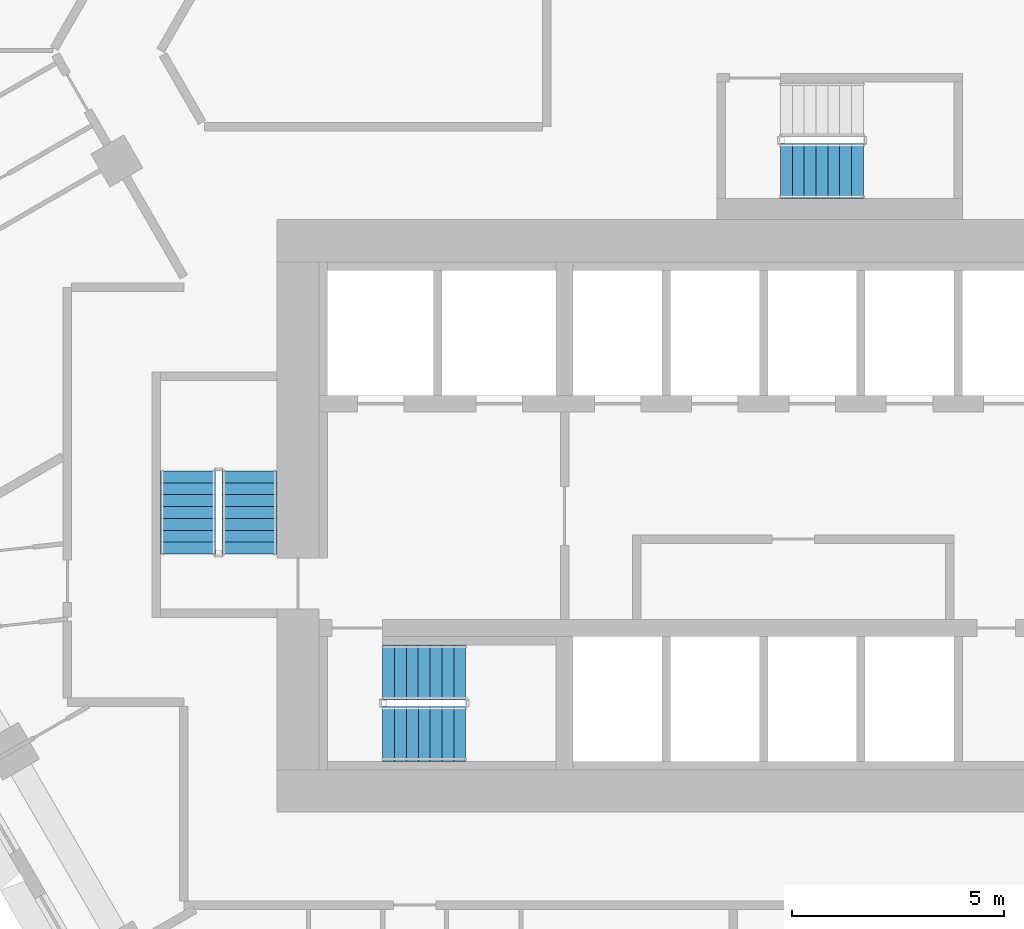
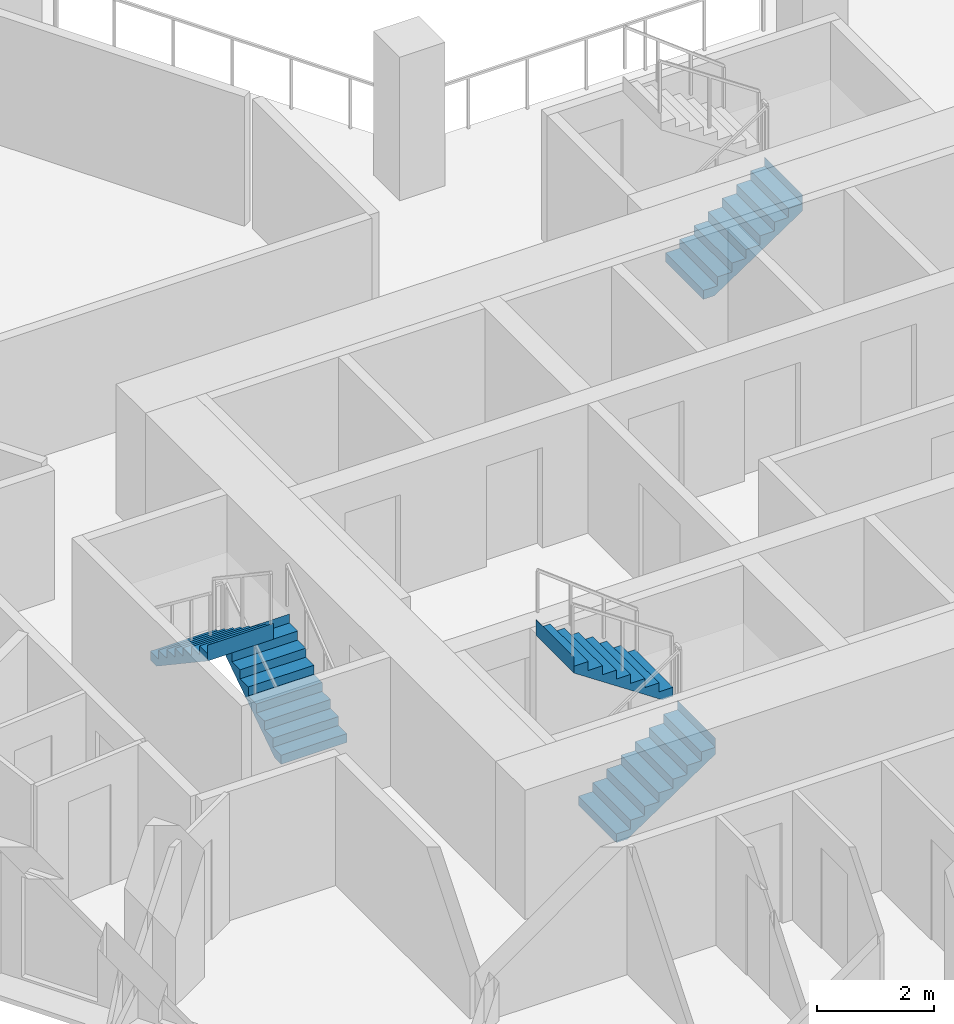
# One storey, part 13 of 18: 5 stair flights, 3 elements without a shape of their own.
"""IFC4 building model written with IfcOpenShell, lengths in metres."""

from ifc_helpers import new_model, si_unit, direction, frame, origin, place, context, subcontext, project, spatial, triangles, material, type_object, element, aggregate, save


model = new_model("IFC4")

# Units and contexts
model_context = context("Model", 3, precision=1e-05, world=origin(), true_north=direction((0.0, 1.0)))
body_context = subcontext(model_context, "Body", "Model", "MODEL_VIEW")
ifc_project = project(units=[si_unit("LENGTHUNIT", "METRE"), si_unit("AREAUNIT", "SQUARE_METRE"), si_unit("VOLUMEUNIT", "CUBIC_METRE"), si_unit("PLANEANGLEUNIT", "RADIAN"), si_unit("MASSUNIT", "GRAM", prefix="KILO")], contexts=[model_context])

# Site, building, storey
site_placement = place(None, origin())
site = spatial("IfcSite", under=ifc_project, at=site_placement, CompositionType="ELEMENT")
building_placement = place(site_placement, origin())
building = spatial("IfcBuilding", under=site, at=building_placement, Name="Beryl Residences", CompositionType="ELEMENT")
storey_placement = place(building_placement, frame((0.0, 0.0, 81.0)))
storey = spatial("IfcBuildingStorey", under=building, at=storey_placement, Name="L24", CompositionType="ELEMENT", Elevation=81.0)

# Stair, stair flights
ifc_material_1 = material(Name="Concrete C40/50", Category="concrete")
stair_type = type_object("IfcStairType", Name="ST1 protected exit stair, half-turn, 1300 mm flights", PredefinedType="HALF_TURN_STAIR", material=ifc_material_1)
stair_1_placement = place(storey_placement, origin())
stair_1 = element("IfcStair", 1, at=stair_1_placement, inside=storey, type_object=stair_type, Name="L24 PROTECTED EXIT STAIR ST-1", PredefinedType="HALF_TURN_STAIR")
ifc_material_2 = material(Name="Concrete C40/50", Category="concrete")
stair_flight_type = type_object("IfcStairFlightType", Name="SF1 stair flight 1300 mm", PredefinedType="STRAIGHT", material=ifc_material_2)
stair_flight_1_placement = place(storey_placement, frame((-10.800048828125, -17.14990234375, 0.0), z_axis=(0.0, 0.0, 1.0), x_axis=(1.0, 0.0, 0.0)))
stair_flight_1 = element("IfcStairFlight", 2, at=stair_flight_1_placement, type_object=stair_flight_type, Name="ST-1 flight 1", NumberOfRisers=8, NumberOfTreads=7, PredefinedType="STRAIGHT", RiserHeight=0.1875, TreadLength=0.28, context=body_context, shape_type="Tessellation", body=[
    triangles([(0.0, -0.64990234375, 0.0), (0.0, -0.324951171875, 0.0), (0.0, 0.0, 0.0), (0.0, 0.324951171875, 0.0), (0.0, 0.64990234375, 0.0), (0.0, -0.64990234375, 0.1875), (0.0, -0.324951171875, 0.1875), (0.0, 0.0, 0.1875), (0.0, 0.324951171875, 0.1875), (0.0, 0.64990234375, 0.1875), (0.280029296875, -0.64990234375, 0.1875), (0.280029296875, -0.324951171875, 0.1875), (0.280029296875, 0.0, 0.1875), (0.280029296875, 0.324951171875, 0.1875), (0.280029296875, 0.64990234375, 0.1875), (0.280029296875, -0.64990234375, 0.375), (0.280029296875, -0.324951171875, 0.375), (0.280029296875, 0.0, 0.375), (0.280029296875, 0.324951171875, 0.375), (0.280029296875, 0.64990234375, 0.375), (0.56005859375, -0.64990234375, 0.375), (0.56005859375, -0.324951171875, 0.375), (0.56005859375, 0.0, 0.375), (0.56005859375, 0.324951171875, 0.375), (0.56005859375, 0.64990234375, 0.375), (0.56005859375, -0.64990234375, 0.5625), (0.56005859375, -0.324951171875, 0.5625), (0.56005859375, 0.0, 0.5625), (0.56005859375, 0.324951171875, 0.5625), (0.56005859375, 0.64990234375, 0.5625), (0.840087890625, -0.64990234375, 0.5625), (0.840087890625, -0.324951171875, 0.5625), (0.840087890625, 0.0, 0.5625), (0.840087890625, 0.324951171875, 0.5625), (0.840087890625, 0.64990234375, 0.5625), (0.840087890625, -0.64990234375, 0.75), (0.840087890625, -0.324951171875, 0.75), (0.840087890625, 0.0, 0.75), (0.840087890625, 0.324951171875, 0.75), (0.840087890625, 0.64990234375, 0.75), (1.1201171875, -0.64990234375, 0.75), (1.1201171875, -0.324951171875, 0.75), (1.1201171875, 0.0, 0.75), (1.1201171875, 0.324951171875, 0.75), (1.1201171875, 0.64990234375, 0.75), (1.1201171875, -0.64990234375, 0.9375), (1.1201171875, -0.324951171875, 0.9375), (1.1201171875, 0.0, 0.9375), (1.1201171875, 0.324951171875, 0.9375), (1.1201171875, 0.64990234375, 0.9375), (1.39990234375, -0.64990234375, 0.9375), (1.39990234375, -0.324951171875, 0.9375), (1.39990234375, 0.0, 0.9375), (1.39990234375, 0.324951171875, 0.9375), (1.39990234375, 0.64990234375, 0.9375), (1.39990234375, -0.64990234375, 1.125), (1.39990234375, -0.324951171875, 1.125), (1.39990234375, 0.0, 1.125), (1.39990234375, 0.324951171875, 1.125), (1.39990234375, 0.64990234375, 1.125), (1.679931640625, -0.64990234375, 1.125), (1.679931640625, -0.324951171875, 1.125), (1.679931640625, 0.0, 1.125), (1.679931640625, 0.324951171875, 1.125), (1.679931640625, 0.64990234375, 1.125), (1.679931640625, -0.64990234375, 1.3125), (1.679931640625, -0.324951171875, 1.3125), (1.679931640625, 0.0, 1.3125), (1.679931640625, 0.324951171875, 1.3125), (1.679931640625, 0.64990234375, 1.3125), (1.9599609375, -0.64990234375, 1.3125), (1.9599609375, -0.324951171875, 1.3125), (1.9599609375, 0.0, 1.3125), (1.9599609375, 0.324951171875, 1.3125), (1.9599609375, 0.64990234375, 1.3125), (1.9599609375, -0.64990234375, 1.5), (1.9599609375, -0.324951171875, 1.5), (1.9599609375, 0.0, 1.5), (1.9599609375, 0.324951171875, 1.5), (1.9599609375, 0.64990234375, 1.5), (1.9609375, -0.64990234375, 1.5), (1.9609375, -0.324951171875, 1.5), (1.9609375, 0.0, 1.5), (1.9609375, 0.324951171875, 1.5), (1.9609375, 0.64990234375, 1.5), (1.9609375, -0.64990234375, 1.16796875), (1.9609375, -0.324951171875, 1.16796875), (1.9609375, 0.0, 1.16796875), (1.9609375, 0.324951171875, 1.16796875), (1.9609375, 0.64990234375, 1.16796875), (0.216796875, -0.64990234375, 0.0), (0.216796875, -0.324951171875, 0.0), (0.216796875, 0.0, 0.0), (0.216796875, 0.324951171875, 0.0), (0.216796875, 0.64990234375, 0.0)], [[1, 6, 7], [1, 7, 2], [2, 7, 8], [2, 8, 3], [3, 8, 9], [3, 9, 4], [4, 9, 10], [4, 10, 5], [6, 11, 12], [6, 12, 7], [7, 12, 13], [7, 13, 8], [8, 13, 14], [8, 14, 9], [9, 14, 15], [9, 15, 10], [11, 16, 17], [11, 17, 12], [12, 17, 18], [12, 18, 13], [13, 18, 19], [13, 19, 14], [14, 19, 20], [14, 20, 15], [16, 21, 22], [16, 22, 17], [17, 22, 23], [17, 23, 18], [18, 23, 24], [18, 24, 19], [19, 24, 25], [19, 25, 20], [21, 26, 27], [21, 27, 22], [22, 27, 28], [22, 28, 23], [23, 28, 29], [23, 29, 24], [24, 29, 30], [24, 30, 25], [26, 31, 32], [26, 32, 27], [27, 32, 33], [27, 33, 28], [28, 33, 34], [28, 34, 29], [29, 34, 35], [29, 35, 30], [31, 36, 37], [31, 37, 32], [32, 37, 38], [32, 38, 33], [33, 38, 39], [33, 39, 34], [34, 39, 40], [34, 40, 35], [36, 41, 42], [36, 42, 37], [37, 42, 43], [37, 43, 38], [38, 43, 44], [38, 44, 39], [39, 44, 45], [39, 45, 40], [41, 46, 47], [41, 47, 42], [42, 47, 48], [42, 48, 43], [43, 48, 49], [43, 49, 44], [44, 49, 50], [44, 50, 45], [46, 51, 52], [46, 52, 47], [47, 52, 53], [47, 53, 48], [48, 53, 54], [48, 54, 49], [49, 54, 55], [49, 55, 50], [51, 56, 57], [51, 57, 52], [52, 57, 58], [52, 58, 53], [53, 58, 59], [53, 59, 54], [54, 59, 60], [54, 60, 55], [56, 61, 62], [56, 62, 57], [57, 62, 63], [57, 63, 58], [58, 63, 64], [58, 64, 59], [59, 64, 65], [59, 65, 60], [61, 66, 67], [61, 67, 62], [62, 67, 68], [62, 68, 63], [63, 68, 69], [63, 69, 64], [64, 69, 70], [64, 70, 65], [66, 71, 72], [66, 72, 67], [67, 72, 73], [67, 73, 68], [68, 73, 74], [68, 74, 69], [69, 74, 75], [69, 75, 70], [71, 76, 77], [71, 77, 72], [72, 77, 78], [72, 78, 73], [73, 78, 79], [73, 79, 74], [74, 79, 80], [74, 80, 75], [76, 81, 82], [76, 82, 77], [77, 82, 83], [77, 83, 78], [78, 83, 84], [78, 84, 79], [79, 84, 85], [79, 85, 80], [81, 86, 87], [81, 87, 82], [82, 87, 88], [82, 88, 83], [83, 88, 89], [83, 89, 84], [84, 89, 90], [84, 90, 85], [86, 91, 92], [86, 92, 87], [87, 92, 93], [87, 93, 88], [88, 93, 94], [88, 94, 89], [89, 94, 95], [89, 95, 90], [91, 1, 2], [91, 2, 92], [92, 2, 3], [92, 3, 93], [93, 3, 4], [93, 4, 94], [94, 4, 5], [94, 5, 95], [1, 91, 86], [5, 90, 95], [86, 81, 76], [90, 80, 85], [86, 76, 71], [90, 75, 80], [86, 71, 66], [90, 70, 75], [86, 66, 61], [90, 65, 70], [61, 56, 51], [65, 55, 60], [86, 61, 51], [90, 55, 65], [51, 46, 41], [55, 45, 50], [86, 51, 41], [90, 45, 55], [41, 36, 31], [45, 35, 40], [86, 41, 31], [90, 35, 45], [31, 26, 21], [35, 25, 30], [86, 31, 21], [90, 25, 35], [21, 16, 11], [25, 15, 20], [86, 21, 11], [90, 15, 25], [1, 86, 11], [5, 15, 90], [11, 6, 1], [15, 5, 10]], closed=True),
])
stair_flight_2_placement = place(storey_placement, frame((-8.840087890625, -15.699951171875, 1.5), z_axis=(0.0, 0.0, 1.0), x_axis=(-1.0, 0.0, 0.0)))
stair_flight_2 = element("IfcStairFlight", 3, at=stair_flight_2_placement, type_object=stair_flight_type, Name="ST-1 flight 2", NumberOfRisers=8, NumberOfTreads=7, PredefinedType="STRAIGHT", RiserHeight=0.1875, TreadLength=0.28, context=body_context, shape_type="Tessellation", body=[
    triangles([(0.0, -0.64990234375, 0.0), (0.0, -0.324951171875, 0.0), (0.0, 0.0, 0.0), (0.0, 0.324951171875, 0.0), (0.0, 0.64990234375, 0.0), (0.0, -0.64990234375, 0.1875), (0.0, -0.324951171875, 0.1875), (0.0, 0.0, 0.1875), (0.0, 0.324951171875, 0.1875), (0.0, 0.64990234375, 0.1875), (0.280029296875, -0.64990234375, 0.1875), (0.280029296875, -0.324951171875, 0.1875), (0.280029296875, 0.0, 0.1875), (0.280029296875, 0.324951171875, 0.1875), (0.280029296875, 0.64990234375, 0.1875), (0.280029296875, -0.64990234375, 0.375), (0.280029296875, -0.324951171875, 0.375), (0.280029296875, 0.0, 0.375), (0.280029296875, 0.324951171875, 0.375), (0.280029296875, 0.64990234375, 0.375), (0.56005859375, -0.64990234375, 0.375), (0.56005859375, -0.324951171875, 0.375), (0.56005859375, 0.0, 0.375), (0.56005859375, 0.324951171875, 0.375), (0.56005859375, 0.64990234375, 0.375), (0.56005859375, -0.64990234375, 0.5625), (0.56005859375, -0.324951171875, 0.5625), (0.56005859375, 0.0, 0.5625), (0.56005859375, 0.324951171875, 0.5625), (0.56005859375, 0.64990234375, 0.5625), (0.840087890625, -0.64990234375, 0.5625), (0.840087890625, -0.324951171875, 0.5625), (0.840087890625, 0.0, 0.5625), (0.840087890625, 0.324951171875, 0.5625), (0.840087890625, 0.64990234375, 0.5625), (0.840087890625, -0.64990234375, 0.75), (0.840087890625, -0.324951171875, 0.75), (0.840087890625, 0.0, 0.75), (0.840087890625, 0.324951171875, 0.75), (0.840087890625, 0.64990234375, 0.75), (1.1201171875, -0.64990234375, 0.75), (1.1201171875, -0.324951171875, 0.75), (1.1201171875, 0.0, 0.75), (1.1201171875, 0.324951171875, 0.75), (1.1201171875, 0.64990234375, 0.75), (1.1201171875, -0.64990234375, 0.9375), (1.1201171875, -0.324951171875, 0.9375), (1.1201171875, 0.0, 0.9375), (1.1201171875, 0.324951171875, 0.9375), (1.1201171875, 0.64990234375, 0.9375), (1.39990234375, -0.64990234375, 0.9375), (1.39990234375, -0.324951171875, 0.9375), (1.39990234375, 0.0, 0.9375), (1.39990234375, 0.324951171875, 0.9375), (1.39990234375, 0.64990234375, 0.9375), (1.39990234375, -0.64990234375, 1.125), (1.39990234375, -0.324951171875, 1.125), (1.39990234375, 0.0, 1.125), (1.39990234375, 0.324951171875, 1.125), (1.39990234375, 0.64990234375, 1.125), (1.679931640625, -0.64990234375, 1.125), (1.679931640625, -0.324951171875, 1.125), (1.679931640625, 0.0, 1.125), (1.679931640625, 0.324951171875, 1.125), (1.679931640625, 0.64990234375, 1.125), (1.679931640625, -0.64990234375, 1.3125), (1.679931640625, -0.324951171875, 1.3125), (1.679931640625, 0.0, 1.3125), (1.679931640625, 0.324951171875, 1.3125), (1.679931640625, 0.64990234375, 1.3125), (1.9599609375, -0.64990234375, 1.3125), (1.9599609375, -0.324951171875, 1.3125), (1.9599609375, 0.0, 1.3125), (1.9599609375, 0.324951171875, 1.3125), (1.9599609375, 0.64990234375, 1.3125), (1.9599609375, -0.64990234375, 1.5), (1.9599609375, -0.324951171875, 1.5), (1.9599609375, 0.0, 1.5), (1.9599609375, 0.324951171875, 1.5), (1.9599609375, 0.64990234375, 1.5), (1.9609375, -0.64990234375, 1.5), (1.9609375, -0.324951171875, 1.5), (1.9609375, 0.0, 1.5), (1.9609375, 0.324951171875, 1.5), (1.9609375, 0.64990234375, 1.5), (1.9609375, -0.64990234375, 1.16796875), (1.9609375, -0.324951171875, 1.16796875), (1.9609375, 0.0, 1.16796875), (1.9609375, 0.324951171875, 1.16796875), (1.9609375, 0.64990234375, 1.16796875), (0.216796875, -0.64990234375, 0.0), (0.216796875, -0.324951171875, 0.0), (0.216796875, 0.0, 0.0), (0.216796875, 0.324951171875, 0.0), (0.216796875, 0.64990234375, 0.0)], [[1, 6, 7], [1, 7, 2], [2, 7, 8], [2, 8, 3], [3, 8, 9], [3, 9, 4], [4, 9, 10], [4, 10, 5], [6, 11, 12], [6, 12, 7], [7, 12, 13], [7, 13, 8], [8, 13, 14], [8, 14, 9], [9, 14, 15], [9, 15, 10], [11, 16, 17], [11, 17, 12], [12, 17, 18], [12, 18, 13], [13, 18, 19], [13, 19, 14], [14, 19, 20], [14, 20, 15], [16, 21, 22], [16, 22, 17], [17, 22, 23], [17, 23, 18], [18, 23, 24], [18, 24, 19], [19, 24, 25], [19, 25, 20], [21, 26, 27], [21, 27, 22], [22, 27, 28], [22, 28, 23], [23, 28, 29], [23, 29, 24], [24, 29, 30], [24, 30, 25], [26, 31, 32], [26, 32, 27], [27, 32, 33], [27, 33, 28], [28, 33, 34], [28, 34, 29], [29, 34, 35], [29, 35, 30], [31, 36, 37], [31, 37, 32], [32, 37, 38], [32, 38, 33], [33, 38, 39], [33, 39, 34], [34, 39, 40], [34, 40, 35], [36, 41, 42], [36, 42, 37], [37, 42, 43], [37, 43, 38], [38, 43, 44], [38, 44, 39], [39, 44, 45], [39, 45, 40], [41, 46, 47], [41, 47, 42], [42, 47, 48], [42, 48, 43], [43, 48, 49], [43, 49, 44], [44, 49, 50], [44, 50, 45], [46, 51, 52], [46, 52, 47], [47, 52, 53], [47, 53, 48], [48, 53, 54], [48, 54, 49], [49, 54, 55], [49, 55, 50], [51, 56, 57], [51, 57, 52], [52, 57, 58], [52, 58, 53], [53, 58, 59], [53, 59, 54], [54, 59, 60], [54, 60, 55], [56, 61, 62], [56, 62, 57], [57, 62, 63], [57, 63, 58], [58, 63, 64], [58, 64, 59], [59, 64, 65], [59, 65, 60], [61, 66, 67], [61, 67, 62], [62, 67, 68], [62, 68, 63], [63, 68, 69], [63, 69, 64], [64, 69, 70], [64, 70, 65], [66, 71, 72], [66, 72, 67], [67, 72, 73], [67, 73, 68], [68, 73, 74], [68, 74, 69], [69, 74, 75], [69, 75, 70], [71, 76, 77], [71, 77, 72], [72, 77, 78], [72, 78, 73], [73, 78, 79], [73, 79, 74], [74, 79, 80], [74, 80, 75], [76, 81, 82], [76, 82, 77], [77, 82, 83], [77, 83, 78], [78, 83, 84], [78, 84, 79], [79, 84, 85], [79, 85, 80], [81, 86, 87], [81, 87, 82], [82, 87, 88], [82, 88, 83], [83, 88, 89], [83, 89, 84], [84, 89, 90], [84, 90, 85], [86, 91, 92], [86, 92, 87], [87, 92, 93], [87, 93, 88], [88, 93, 94], [88, 94, 89], [89, 94, 95], [89, 95, 90], [91, 1, 2], [91, 2, 92], [92, 2, 3], [92, 3, 93], [93, 3, 4], [93, 4, 94], [94, 4, 5], [94, 5, 95], [1, 91, 86], [5, 90, 95], [86, 81, 76], [90, 80, 85], [86, 76, 71], [90, 75, 80], [86, 71, 66], [90, 70, 75], [86, 66, 61], [90, 65, 70], [61, 56, 51], [65, 55, 60], [86, 61, 51], [90, 55, 65], [51, 46, 41], [55, 45, 50], [86, 51, 41], [90, 45, 55], [41, 36, 31], [45, 35, 40], [86, 41, 31], [90, 35, 45], [31, 26, 21], [35, 25, 30], [86, 31, 21], [90, 25, 35], [21, 16, 11], [25, 15, 20], [86, 21, 11], [90, 15, 25], [1, 86, 11], [5, 15, 90], [11, 6, 1], [15, 5, 10]], closed=True),
])
aggregate(stair_1, [stair_flight_1, stair_flight_2])

stair_2_placement = place(storey_placement, origin())
stair_2 = element("IfcStair", 4, at=stair_2_placement, inside=storey, type_object=stair_type, Name="L24 PROTECTED EXIT STAIR ST-2", PredefinedType="HALF_TURN_STAIR")
stair_flight_3_placement = place(storey_placement, frame((-13.949951171875, -12.89990234375, 0.0), z_axis=(0.0, 0.0, 1.0), x_axis=(0.0, 1.0, 0.0)))
stair_flight_3 = element("IfcStairFlight", 5, at=stair_flight_3_placement, type_object=stair_flight_type, Name="ST-2 flight 1", NumberOfRisers=8, NumberOfTreads=7, PredefinedType="STRAIGHT", RiserHeight=0.1875, TreadLength=0.28, context=body_context, shape_type="Tessellation", body=[
    triangles([(0.0, -0.64990234375, 0.0), (0.0, -0.324951171875, 0.0), (0.0, 0.0, 0.0), (0.0, 0.324951171875, 0.0), (0.0, 0.64990234375, 0.0), (0.0, -0.64990234375, 0.1875), (0.0, -0.324951171875, 0.1875), (0.0, 0.0, 0.1875), (0.0, 0.324951171875, 0.1875), (0.0, 0.64990234375, 0.1875), (0.280029296875, -0.64990234375, 0.1875), (0.280029296875, -0.324951171875, 0.1875), (0.280029296875, 0.0, 0.1875), (0.280029296875, 0.324951171875, 0.1875), (0.280029296875, 0.64990234375, 0.1875), (0.280029296875, -0.64990234375, 0.375), (0.280029296875, -0.324951171875, 0.375), (0.280029296875, 0.0, 0.375), (0.280029296875, 0.324951171875, 0.375), (0.280029296875, 0.64990234375, 0.375), (0.56005859375, -0.64990234375, 0.375), (0.56005859375, -0.324951171875, 0.375), (0.56005859375, 0.0, 0.375), (0.56005859375, 0.324951171875, 0.375), (0.56005859375, 0.64990234375, 0.375), (0.56005859375, -0.64990234375, 0.5625), (0.56005859375, -0.324951171875, 0.5625), (0.56005859375, 0.0, 0.5625), (0.56005859375, 0.324951171875, 0.5625), (0.56005859375, 0.64990234375, 0.5625), (0.840087890625, -0.64990234375, 0.5625), (0.840087890625, -0.324951171875, 0.5625), (0.840087890625, 0.0, 0.5625), (0.840087890625, 0.324951171875, 0.5625), (0.840087890625, 0.64990234375, 0.5625), (0.840087890625, -0.64990234375, 0.75), (0.840087890625, -0.324951171875, 0.75), (0.840087890625, 0.0, 0.75), (0.840087890625, 0.324951171875, 0.75), (0.840087890625, 0.64990234375, 0.75), (1.1201171875, -0.64990234375, 0.75), (1.1201171875, -0.324951171875, 0.75), (1.1201171875, 0.0, 0.75), (1.1201171875, 0.324951171875, 0.75), (1.1201171875, 0.64990234375, 0.75), (1.1201171875, -0.64990234375, 0.9375), (1.1201171875, -0.324951171875, 0.9375), (1.1201171875, 0.0, 0.9375), (1.1201171875, 0.324951171875, 0.9375), (1.1201171875, 0.64990234375, 0.9375), (1.39990234375, -0.64990234375, 0.9375), (1.39990234375, -0.324951171875, 0.9375), (1.39990234375, 0.0, 0.9375), (1.39990234375, 0.324951171875, 0.9375), (1.39990234375, 0.64990234375, 0.9375), (1.39990234375, -0.64990234375, 1.125), (1.39990234375, -0.324951171875, 1.125), (1.39990234375, 0.0, 1.125), (1.39990234375, 0.324951171875, 1.125), (1.39990234375, 0.64990234375, 1.125), (1.679931640625, -0.64990234375, 1.125), (1.679931640625, -0.324951171875, 1.125), (1.679931640625, 0.0, 1.125), (1.679931640625, 0.324951171875, 1.125), (1.679931640625, 0.64990234375, 1.125), (1.679931640625, -0.64990234375, 1.3125), (1.679931640625, -0.324951171875, 1.3125), (1.679931640625, 0.0, 1.3125), (1.679931640625, 0.324951171875, 1.3125), (1.679931640625, 0.64990234375, 1.3125), (1.9599609375, -0.64990234375, 1.3125), (1.9599609375, -0.324951171875, 1.3125), (1.9599609375, 0.0, 1.3125), (1.9599609375, 0.324951171875, 1.3125), (1.9599609375, 0.64990234375, 1.3125), (1.9599609375, -0.64990234375, 1.5), (1.9599609375, -0.324951171875, 1.5), (1.9599609375, 0.0, 1.5), (1.9599609375, 0.324951171875, 1.5), (1.9599609375, 0.64990234375, 1.5), (1.9609375, -0.64990234375, 1.5), (1.9609375, -0.324951171875, 1.5), (1.9609375, 0.0, 1.5), (1.9609375, 0.324951171875, 1.5), (1.9609375, 0.64990234375, 1.5), (1.9609375, -0.64990234375, 1.16796875), (1.9609375, -0.324951171875, 1.16796875), (1.9609375, 0.0, 1.16796875), (1.9609375, 0.324951171875, 1.16796875), (1.9609375, 0.64990234375, 1.16796875), (0.216796875, -0.64990234375, 0.0), (0.216796875, -0.324951171875, 0.0), (0.216796875, 0.0, 0.0), (0.216796875, 0.324951171875, 0.0), (0.216796875, 0.64990234375, 0.0)], [[1, 6, 7], [1, 7, 2], [2, 7, 8], [2, 8, 3], [3, 8, 9], [3, 9, 4], [4, 9, 10], [4, 10, 5], [6, 11, 12], [6, 12, 7], [7, 12, 13], [7, 13, 8], [8, 13, 14], [8, 14, 9], [9, 14, 15], [9, 15, 10], [11, 16, 17], [11, 17, 12], [12, 17, 18], [12, 18, 13], [13, 18, 19], [13, 19, 14], [14, 19, 20], [14, 20, 15], [16, 21, 22], [16, 22, 17], [17, 22, 23], [17, 23, 18], [18, 23, 24], [18, 24, 19], [19, 24, 25], [19, 25, 20], [21, 26, 27], [21, 27, 22], [22, 27, 28], [22, 28, 23], [23, 28, 29], [23, 29, 24], [24, 29, 30], [24, 30, 25], [26, 31, 32], [26, 32, 27], [27, 32, 33], [27, 33, 28], [28, 33, 34], [28, 34, 29], [29, 34, 35], [29, 35, 30], [31, 36, 37], [31, 37, 32], [32, 37, 38], [32, 38, 33], [33, 38, 39], [33, 39, 34], [34, 39, 40], [34, 40, 35], [36, 41, 42], [36, 42, 37], [37, 42, 43], [37, 43, 38], [38, 43, 44], [38, 44, 39], [39, 44, 45], [39, 45, 40], [41, 46, 47], [41, 47, 42], [42, 47, 48], [42, 48, 43], [43, 48, 49], [43, 49, 44], [44, 49, 50], [44, 50, 45], [46, 51, 52], [46, 52, 47], [47, 52, 53], [47, 53, 48], [48, 53, 54], [48, 54, 49], [49, 54, 55], [49, 55, 50], [51, 56, 57], [51, 57, 52], [52, 57, 58], [52, 58, 53], [53, 58, 59], [53, 59, 54], [54, 59, 60], [54, 60, 55], [56, 61, 62], [56, 62, 57], [57, 62, 63], [57, 63, 58], [58, 63, 64], [58, 64, 59], [59, 64, 65], [59, 65, 60], [61, 66, 67], [61, 67, 62], [62, 67, 68], [62, 68, 63], [63, 68, 69], [63, 69, 64], [64, 69, 70], [64, 70, 65], [66, 71, 72], [66, 72, 67], [67, 72, 73], [67, 73, 68], [68, 73, 74], [68, 74, 69], [69, 74, 75], [69, 75, 70], [71, 76, 77], [71, 77, 72], [72, 77, 78], [72, 78, 73], [73, 78, 79], [73, 79, 74], [74, 79, 80], [74, 80, 75], [76, 81, 82], [76, 82, 77], [77, 82, 83], [77, 83, 78], [78, 83, 84], [78, 84, 79], [79, 84, 85], [79, 85, 80], [81, 86, 87], [81, 87, 82], [82, 87, 88], [82, 88, 83], [83, 88, 89], [83, 89, 84], [84, 89, 90], [84, 90, 85], [86, 91, 92], [86, 92, 87], [87, 92, 93], [87, 93, 88], [88, 93, 94], [88, 94, 89], [89, 94, 95], [89, 95, 90], [91, 1, 2], [91, 2, 92], [92, 2, 3], [92, 3, 93], [93, 3, 4], [93, 4, 94], [94, 4, 5], [94, 5, 95], [1, 91, 86], [5, 90, 95], [86, 81, 76], [90, 80, 85], [86, 76, 71], [90, 75, 80], [86, 71, 66], [90, 70, 75], [86, 66, 61], [90, 65, 70], [61, 56, 51], [65, 55, 60], [86, 61, 51], [90, 55, 65], [51, 46, 41], [55, 45, 50], [86, 51, 41], [90, 45, 55], [41, 36, 31], [45, 35, 40], [86, 41, 31], [90, 35, 45], [31, 26, 21], [35, 25, 30], [86, 31, 21], [90, 25, 35], [21, 16, 11], [25, 15, 20], [86, 21, 11], [90, 15, 25], [1, 86, 11], [5, 15, 90], [11, 6, 1], [15, 5, 10]], closed=True),
])
stair_flight_4_placement = place(storey_placement, frame((-15.39990234375, -10.93994140625, 1.5), z_axis=(0.0, 0.0, 1.0), x_axis=(0.0, -1.0, 0.0)))
stair_flight_4 = element("IfcStairFlight", 6, at=stair_flight_4_placement, type_object=stair_flight_type, Name="ST-2 flight 2", NumberOfRisers=8, NumberOfTreads=7, PredefinedType="STRAIGHT", RiserHeight=0.1875, TreadLength=0.28, context=body_context, shape_type="Tessellation", body=[
    triangles([(0.0, -0.64990234375, 0.0), (0.0, -0.324951171875, 0.0), (0.0, 0.0, 0.0), (0.0, 0.324951171875, 0.0), (0.0, 0.64990234375, 0.0), (0.0, -0.64990234375, 0.1875), (0.0, -0.324951171875, 0.1875), (0.0, 0.0, 0.1875), (0.0, 0.324951171875, 0.1875), (0.0, 0.64990234375, 0.1875), (0.280029296875, -0.64990234375, 0.1875), (0.280029296875, -0.324951171875, 0.1875), (0.280029296875, 0.0, 0.1875), (0.280029296875, 0.324951171875, 0.1875), (0.280029296875, 0.64990234375, 0.1875), (0.280029296875, -0.64990234375, 0.375), (0.280029296875, -0.324951171875, 0.375), (0.280029296875, 0.0, 0.375), (0.280029296875, 0.324951171875, 0.375), (0.280029296875, 0.64990234375, 0.375), (0.56005859375, -0.64990234375, 0.375), (0.56005859375, -0.324951171875, 0.375), (0.56005859375, 0.0, 0.375), (0.56005859375, 0.324951171875, 0.375), (0.56005859375, 0.64990234375, 0.375), (0.56005859375, -0.64990234375, 0.5625), (0.56005859375, -0.324951171875, 0.5625), (0.56005859375, 0.0, 0.5625), (0.56005859375, 0.324951171875, 0.5625), (0.56005859375, 0.64990234375, 0.5625), (0.840087890625, -0.64990234375, 0.5625), (0.840087890625, -0.324951171875, 0.5625), (0.840087890625, 0.0, 0.5625), (0.840087890625, 0.324951171875, 0.5625), (0.840087890625, 0.64990234375, 0.5625), (0.840087890625, -0.64990234375, 0.75), (0.840087890625, -0.324951171875, 0.75), (0.840087890625, 0.0, 0.75), (0.840087890625, 0.324951171875, 0.75), (0.840087890625, 0.64990234375, 0.75), (1.1201171875, -0.64990234375, 0.75), (1.1201171875, -0.324951171875, 0.75), (1.1201171875, 0.0, 0.75), (1.1201171875, 0.324951171875, 0.75), (1.1201171875, 0.64990234375, 0.75), (1.1201171875, -0.64990234375, 0.9375), (1.1201171875, -0.324951171875, 0.9375), (1.1201171875, 0.0, 0.9375), (1.1201171875, 0.324951171875, 0.9375), (1.1201171875, 0.64990234375, 0.9375), (1.39990234375, -0.64990234375, 0.9375), (1.39990234375, -0.324951171875, 0.9375), (1.39990234375, 0.0, 0.9375), (1.39990234375, 0.324951171875, 0.9375), (1.39990234375, 0.64990234375, 0.9375), (1.39990234375, -0.64990234375, 1.125), (1.39990234375, -0.324951171875, 1.125), (1.39990234375, 0.0, 1.125), (1.39990234375, 0.324951171875, 1.125), (1.39990234375, 0.64990234375, 1.125), (1.679931640625, -0.64990234375, 1.125), (1.679931640625, -0.324951171875, 1.125), (1.679931640625, 0.0, 1.125), (1.679931640625, 0.324951171875, 1.125), (1.679931640625, 0.64990234375, 1.125), (1.679931640625, -0.64990234375, 1.3125), (1.679931640625, -0.324951171875, 1.3125), (1.679931640625, 0.0, 1.3125), (1.679931640625, 0.324951171875, 1.3125), (1.679931640625, 0.64990234375, 1.3125), (1.9599609375, -0.64990234375, 1.3125), (1.9599609375, -0.324951171875, 1.3125), (1.9599609375, 0.0, 1.3125), (1.9599609375, 0.324951171875, 1.3125), (1.9599609375, 0.64990234375, 1.3125), (1.9599609375, -0.64990234375, 1.5), (1.9599609375, -0.324951171875, 1.5), (1.9599609375, 0.0, 1.5), (1.9599609375, 0.324951171875, 1.5), (1.9599609375, 0.64990234375, 1.5), (1.9609375, -0.64990234375, 1.5), (1.9609375, -0.324951171875, 1.5), (1.9609375, 0.0, 1.5), (1.9609375, 0.324951171875, 1.5), (1.9609375, 0.64990234375, 1.5), (1.9609375, -0.64990234375, 1.16796875), (1.9609375, -0.324951171875, 1.16796875), (1.9609375, 0.0, 1.16796875), (1.9609375, 0.324951171875, 1.16796875), (1.9609375, 0.64990234375, 1.16796875), (0.216796875, -0.64990234375, 0.0), (0.216796875, -0.324951171875, 0.0), (0.216796875, 0.0, 0.0), (0.216796875, 0.324951171875, 0.0), (0.216796875, 0.64990234375, 0.0)], [[1, 6, 7], [1, 7, 2], [2, 7, 8], [2, 8, 3], [3, 8, 9], [3, 9, 4], [4, 9, 10], [4, 10, 5], [6, 11, 12], [6, 12, 7], [7, 12, 13], [7, 13, 8], [8, 13, 14], [8, 14, 9], [9, 14, 15], [9, 15, 10], [11, 16, 17], [11, 17, 12], [12, 17, 18], [12, 18, 13], [13, 18, 19], [13, 19, 14], [14, 19, 20], [14, 20, 15], [16, 21, 22], [16, 22, 17], [17, 22, 23], [17, 23, 18], [18, 23, 24], [18, 24, 19], [19, 24, 25], [19, 25, 20], [21, 26, 27], [21, 27, 22], [22, 27, 28], [22, 28, 23], [23, 28, 29], [23, 29, 24], [24, 29, 30], [24, 30, 25], [26, 31, 32], [26, 32, 27], [27, 32, 33], [27, 33, 28], [28, 33, 34], [28, 34, 29], [29, 34, 35], [29, 35, 30], [31, 36, 37], [31, 37, 32], [32, 37, 38], [32, 38, 33], [33, 38, 39], [33, 39, 34], [34, 39, 40], [34, 40, 35], [36, 41, 42], [36, 42, 37], [37, 42, 43], [37, 43, 38], [38, 43, 44], [38, 44, 39], [39, 44, 45], [39, 45, 40], [41, 46, 47], [41, 47, 42], [42, 47, 48], [42, 48, 43], [43, 48, 49], [43, 49, 44], [44, 49, 50], [44, 50, 45], [46, 51, 52], [46, 52, 47], [47, 52, 53], [47, 53, 48], [48, 53, 54], [48, 54, 49], [49, 54, 55], [49, 55, 50], [51, 56, 57], [51, 57, 52], [52, 57, 58], [52, 58, 53], [53, 58, 59], [53, 59, 54], [54, 59, 60], [54, 60, 55], [56, 61, 62], [56, 62, 57], [57, 62, 63], [57, 63, 58], [58, 63, 64], [58, 64, 59], [59, 64, 65], [59, 65, 60], [61, 66, 67], [61, 67, 62], [62, 67, 68], [62, 68, 63], [63, 68, 69], [63, 69, 64], [64, 69, 70], [64, 70, 65], [66, 71, 72], [66, 72, 67], [67, 72, 73], [67, 73, 68], [68, 73, 74], [68, 74, 69], [69, 74, 75], [69, 75, 70], [71, 76, 77], [71, 77, 72], [72, 77, 78], [72, 78, 73], [73, 78, 79], [73, 79, 74], [74, 79, 80], [74, 80, 75], [76, 81, 82], [76, 82, 77], [77, 82, 83], [77, 83, 78], [78, 83, 84], [78, 84, 79], [79, 84, 85], [79, 85, 80], [81, 86, 87], [81, 87, 82], [82, 87, 88], [82, 88, 83], [83, 88, 89], [83, 89, 84], [84, 89, 90], [84, 90, 85], [86, 91, 92], [86, 92, 87], [87, 92, 93], [87, 93, 88], [88, 93, 94], [88, 94, 89], [89, 94, 95], [89, 95, 90], [91, 1, 2], [91, 2, 92], [92, 2, 3], [92, 3, 93], [93, 3, 4], [93, 4, 94], [94, 4, 5], [94, 5, 95], [1, 91, 86], [5, 90, 95], [86, 81, 76], [90, 80, 85], [86, 76, 71], [90, 75, 80], [86, 71, 66], [90, 70, 75], [86, 66, 61], [90, 65, 70], [61, 56, 51], [65, 55, 60], [86, 61, 51], [90, 55, 65], [51, 46, 41], [55, 45, 50], [86, 51, 41], [90, 45, 55], [41, 36, 31], [45, 35, 40], [86, 41, 31], [90, 35, 45], [31, 26, 21], [35, 25, 30], [86, 31, 21], [90, 25, 35], [21, 16, 11], [25, 15, 20], [86, 21, 11], [90, 15, 25], [1, 86, 11], [5, 15, 90], [11, 6, 1], [15, 5, 10]], closed=True),
])
aggregate(stair_2, [stair_flight_3, stair_flight_4])

# Stair, stair flight
stair_3_placement = place(storey_placement, origin())
stair_3 = element("IfcStair", 7, at=stair_3_placement, inside=storey, type_object=stair_type, Name="L24 PROTECTED EXIT STAIR ST-4", PredefinedType="HALF_TURN_STAIR")
stair_flight_5_placement = place(storey_placement, frame((-1.39990234375, -3.85009765625, 0.0), z_axis=(0.0, 0.0, 1.0), x_axis=(1.0, 0.0, 0.0)))
stair_flight_5 = element("IfcStairFlight", 8, at=stair_flight_5_placement, type_object=stair_flight_type, Name="ST-4 flight 1", NumberOfRisers=8, NumberOfTreads=7, PredefinedType="STRAIGHT", RiserHeight=0.1875, TreadLength=0.28, context=body_context, shape_type="Tessellation", body=[
    triangles([(0.0, -0.64990234375, 0.0), (0.0, -0.324951171875, 0.0), (0.0, 0.0, 0.0), (0.0, 0.324951171875, 0.0), (0.0, 0.64990234375, 0.0), (0.0, -0.64990234375, 0.1875), (0.0, -0.324951171875, 0.1875), (0.0, 0.0, 0.1875), (0.0, 0.324951171875, 0.1875), (0.0, 0.64990234375, 0.1875), (0.280029296875, -0.64990234375, 0.1875), (0.280029296875, -0.324951171875, 0.1875), (0.280029296875, 0.0, 0.1875), (0.280029296875, 0.324951171875, 0.1875), (0.280029296875, 0.64990234375, 0.1875), (0.280029296875, -0.64990234375, 0.375), (0.280029296875, -0.324951171875, 0.375), (0.280029296875, 0.0, 0.375), (0.280029296875, 0.324951171875, 0.375), (0.280029296875, 0.64990234375, 0.375), (0.56005859375, -0.64990234375, 0.375), (0.56005859375, -0.324951171875, 0.375), (0.56005859375, 0.0, 0.375), (0.56005859375, 0.324951171875, 0.375), (0.56005859375, 0.64990234375, 0.375), (0.56005859375, -0.64990234375, 0.5625), (0.56005859375, -0.324951171875, 0.5625), (0.56005859375, 0.0, 0.5625), (0.56005859375, 0.324951171875, 0.5625), (0.56005859375, 0.64990234375, 0.5625), (0.840087890625, -0.64990234375, 0.5625), (0.840087890625, -0.324951171875, 0.5625), (0.840087890625, 0.0, 0.5625), (0.840087890625, 0.324951171875, 0.5625), (0.840087890625, 0.64990234375, 0.5625), (0.840087890625, -0.64990234375, 0.75), (0.840087890625, -0.324951171875, 0.75), (0.840087890625, 0.0, 0.75), (0.840087890625, 0.324951171875, 0.75), (0.840087890625, 0.64990234375, 0.75), (1.1201171875, -0.64990234375, 0.75), (1.1201171875, -0.324951171875, 0.75), (1.1201171875, 0.0, 0.75), (1.1201171875, 0.324951171875, 0.75), (1.1201171875, 0.64990234375, 0.75), (1.1201171875, -0.64990234375, 0.9375), (1.1201171875, -0.324951171875, 0.9375), (1.1201171875, 0.0, 0.9375), (1.1201171875, 0.324951171875, 0.9375), (1.1201171875, 0.64990234375, 0.9375), (1.39990234375, -0.64990234375, 0.9375), (1.39990234375, -0.324951171875, 0.9375), (1.39990234375, 0.0, 0.9375), (1.39990234375, 0.324951171875, 0.9375), (1.39990234375, 0.64990234375, 0.9375), (1.39990234375, -0.64990234375, 1.125), (1.39990234375, -0.324951171875, 1.125), (1.39990234375, 0.0, 1.125), (1.39990234375, 0.324951171875, 1.125), (1.39990234375, 0.64990234375, 1.125), (1.679931640625, -0.64990234375, 1.125), (1.679931640625, -0.324951171875, 1.125), (1.679931640625, 0.0, 1.125), (1.679931640625, 0.324951171875, 1.125), (1.679931640625, 0.64990234375, 1.125), (1.679931640625, -0.64990234375, 1.3125), (1.679931640625, -0.324951171875, 1.3125), (1.679931640625, 0.0, 1.3125), (1.679931640625, 0.324951171875, 1.3125), (1.679931640625, 0.64990234375, 1.3125), (1.9599609375, -0.64990234375, 1.3125), (1.9599609375, -0.324951171875, 1.3125), (1.9599609375, 0.0, 1.3125), (1.9599609375, 0.324951171875, 1.3125), (1.9599609375, 0.64990234375, 1.3125), (1.9599609375, -0.64990234375, 1.5), (1.9599609375, -0.324951171875, 1.5), (1.9599609375, 0.0, 1.5), (1.9599609375, 0.324951171875, 1.5), (1.9599609375, 0.64990234375, 1.5), (1.9609375, -0.64990234375, 1.5), (1.9609375, -0.324951171875, 1.5), (1.9609375, 0.0, 1.5), (1.9609375, 0.324951171875, 1.5), (1.9609375, 0.64990234375, 1.5), (1.9609375, -0.64990234375, 1.16796875), (1.9609375, -0.324951171875, 1.16796875), (1.9609375, 0.0, 1.16796875), (1.9609375, 0.324951171875, 1.16796875), (1.9609375, 0.64990234375, 1.16796875), (0.216796875, -0.64990234375, 0.0), (0.216796875, -0.324951171875, 0.0), (0.216796875, 0.0, 0.0), (0.216796875, 0.324951171875, 0.0), (0.216796875, 0.64990234375, 0.0)], [[1, 6, 7], [1, 7, 2], [2, 7, 8], [2, 8, 3], [3, 8, 9], [3, 9, 4], [4, 9, 10], [4, 10, 5], [6, 11, 12], [6, 12, 7], [7, 12, 13], [7, 13, 8], [8, 13, 14], [8, 14, 9], [9, 14, 15], [9, 15, 10], [11, 16, 17], [11, 17, 12], [12, 17, 18], [12, 18, 13], [13, 18, 19], [13, 19, 14], [14, 19, 20], [14, 20, 15], [16, 21, 22], [16, 22, 17], [17, 22, 23], [17, 23, 18], [18, 23, 24], [18, 24, 19], [19, 24, 25], [19, 25, 20], [21, 26, 27], [21, 27, 22], [22, 27, 28], [22, 28, 23], [23, 28, 29], [23, 29, 24], [24, 29, 30], [24, 30, 25], [26, 31, 32], [26, 32, 27], [27, 32, 33], [27, 33, 28], [28, 33, 34], [28, 34, 29], [29, 34, 35], [29, 35, 30], [31, 36, 37], [31, 37, 32], [32, 37, 38], [32, 38, 33], [33, 38, 39], [33, 39, 34], [34, 39, 40], [34, 40, 35], [36, 41, 42], [36, 42, 37], [37, 42, 43], [37, 43, 38], [38, 43, 44], [38, 44, 39], [39, 44, 45], [39, 45, 40], [41, 46, 47], [41, 47, 42], [42, 47, 48], [42, 48, 43], [43, 48, 49], [43, 49, 44], [44, 49, 50], [44, 50, 45], [46, 51, 52], [46, 52, 47], [47, 52, 53], [47, 53, 48], [48, 53, 54], [48, 54, 49], [49, 54, 55], [49, 55, 50], [51, 56, 57], [51, 57, 52], [52, 57, 58], [52, 58, 53], [53, 58, 59], [53, 59, 54], [54, 59, 60], [54, 60, 55], [56, 61, 62], [56, 62, 57], [57, 62, 63], [57, 63, 58], [58, 63, 64], [58, 64, 59], [59, 64, 65], [59, 65, 60], [61, 66, 67], [61, 67, 62], [62, 67, 68], [62, 68, 63], [63, 68, 69], [63, 69, 64], [64, 69, 70], [64, 70, 65], [66, 71, 72], [66, 72, 67], [67, 72, 73], [67, 73, 68], [68, 73, 74], [68, 74, 69], [69, 74, 75], [69, 75, 70], [71, 76, 77], [71, 77, 72], [72, 77, 78], [72, 78, 73], [73, 78, 79], [73, 79, 74], [74, 79, 80], [74, 80, 75], [76, 81, 82], [76, 82, 77], [77, 82, 83], [77, 83, 78], [78, 83, 84], [78, 84, 79], [79, 84, 85], [79, 85, 80], [81, 86, 87], [81, 87, 82], [82, 87, 88], [82, 88, 83], [83, 88, 89], [83, 89, 84], [84, 89, 90], [84, 90, 85], [86, 91, 92], [86, 92, 87], [87, 92, 93], [87, 93, 88], [88, 93, 94], [88, 94, 89], [89, 94, 95], [89, 95, 90], [91, 1, 2], [91, 2, 92], [92, 2, 3], [92, 3, 93], [93, 3, 4], [93, 4, 94], [94, 4, 5], [94, 5, 95], [1, 91, 86], [5, 90, 95], [86, 81, 76], [90, 80, 85], [86, 76, 71], [90, 75, 80], [86, 71, 66], [90, 70, 75], [86, 66, 61], [90, 65, 70], [61, 56, 51], [65, 55, 60], [86, 61, 51], [90, 55, 65], [51, 46, 41], [55, 45, 50], [86, 51, 41], [90, 45, 55], [41, 36, 31], [45, 35, 40], [86, 41, 31], [90, 35, 45], [31, 26, 21], [35, 25, 30], [86, 31, 21], [90, 25, 35], [21, 16, 11], [25, 15, 20], [86, 21, 11], [90, 15, 25], [1, 86, 11], [5, 15, 90], [11, 6, 1], [15, 5, 10]], closed=True),
])
aggregate(stair_3, [stair_flight_5])

save(model, "model.ifc")
